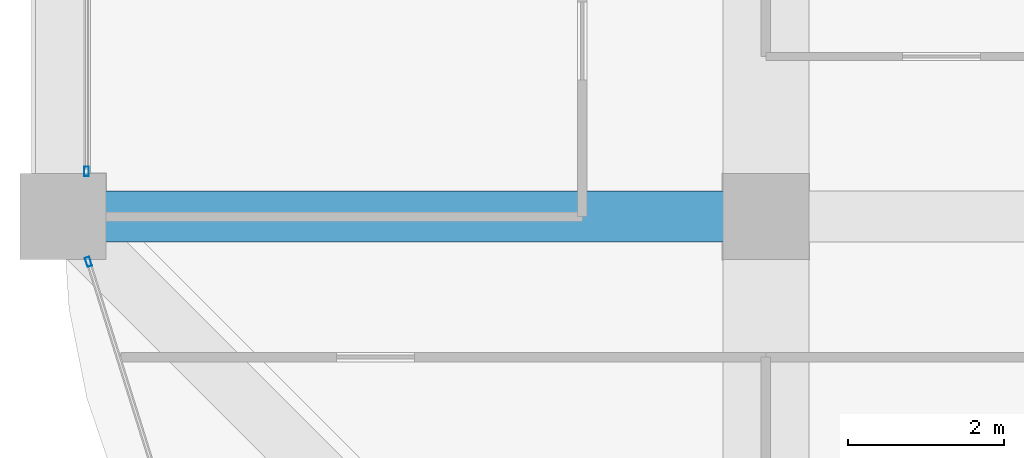
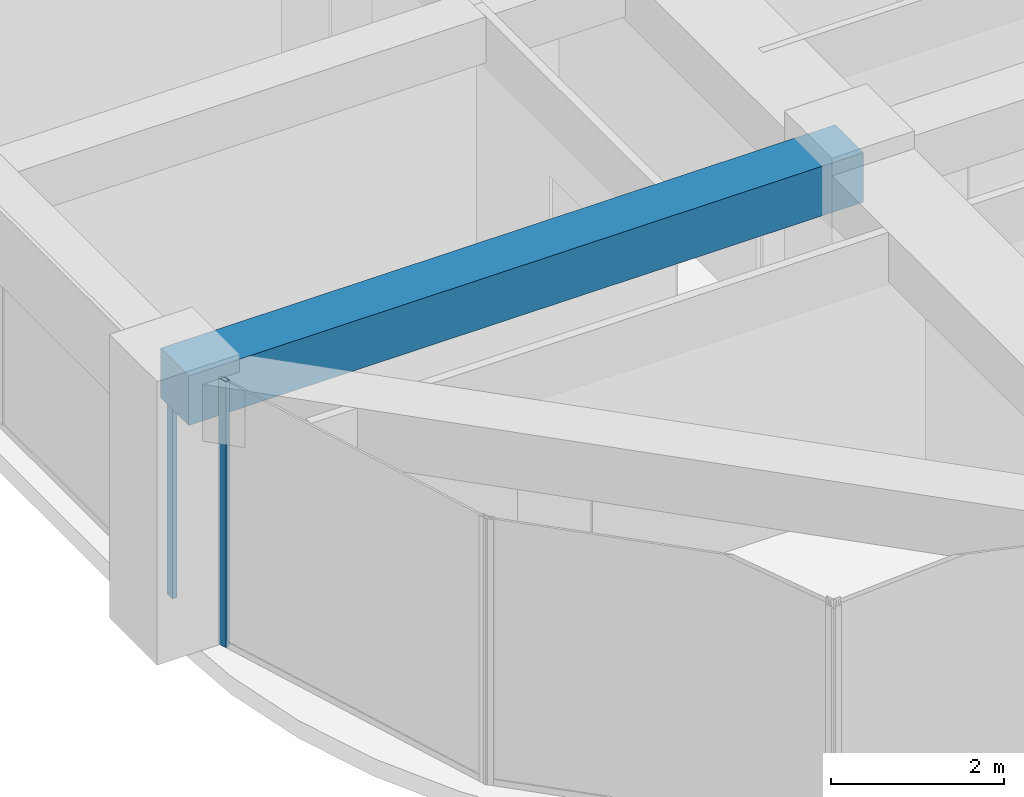
# One storey, part 6 of 44: 2 members, 1 beam, 2 elements without a shape of their own.
"""IFC4 building model written with IfcOpenShell, lengths in metres."""

from ifc_helpers import new_model, si_unit, direction, frame, origin, origin_2d, place, context, subcontext, project, spatial, rectangle, hollow_rectangle, extrude, material, material_profile, profile_set, type_object, element, aggregate, save


model = new_model("IFC4")

# Units and contexts
model_context = context("Model", 3, precision=1e-05, world=origin(), true_north=direction((0.0, 1.0)))
body_context = subcontext(model_context, "Body", "Model", "MODEL_VIEW")
ifc_project = project(units=[si_unit("LENGTHUNIT", "METRE"), si_unit("AREAUNIT", "SQUARE_METRE"), si_unit("VOLUMEUNIT", "CUBIC_METRE"), si_unit("PLANEANGLEUNIT", "RADIAN"), si_unit("MASSUNIT", "GRAM", prefix="KILO")], contexts=[model_context])

# Site, building, storey
site_placement = place(None, origin())
site = spatial("IfcSite", under=ifc_project, at=site_placement, CompositionType="ELEMENT")
building_placement = place(site_placement, origin())
building = spatial("IfcBuilding", under=site, at=building_placement, Name="Zorevar Civic Tower", CompositionType="ELEMENT")
storey_placement = place(building_placement, frame((0.0, 0.0, 287.39990234375)))
storey = spatial("IfcBuildingStorey", under=building, at=storey_placement, Name="L70", CompositionType="ELEMENT", Elevation=287.39990234375)

# Beam
ifc_material_1 = material(Name="Concrete C50/60", Category="concrete")
ifc_material_profile_1 = material_profile(ifc_material_1, rectangle(XDim=0.64990234375, YDim=0.699951171875, at=origin_2d()), Name="RC 650x700")
ifc_profile_set_1 = profile_set([ifc_material_profile_1], Name="Concrete C50/60")
beam_type = type_object("IfcBeamType", Name="Beam RC 650x700", PredefinedType="BEAM", material=ifc_profile_set_1)
beam_placement = place(storey_placement, frame((9.0, 9.0, 3.400146484375), z_axis=(1.0, 0.0, 0.0), x_axis=(0.0, 1.0, 0.0)))
element("IfcBeam", 1, at=beam_placement, inside=storey, type_object=beam_type, Name="Girder L71", PredefinedType="BEAM", context=body_context, shape_type="SweptSolid", body=[
    extrude(rectangle(XDim=0.64990234375, YDim=0.699951171875, at=origin_2d()), origin(), (0.0, 0.0, 1.0), 9.0),
])

# Curtain wall, member
ifc_material_2 = material(Name="Dark grey solar-control glass in black aluminium frame", Category="aluminium")
curtain_wall_type = type_object("IfcCurtainWallType", Name="Curtain wall CW5 top zone", PredefinedType="NOTDEFINED", material=ifc_material_2)
curtain_wall_1_placement = place(storey_placement, origin())
curtain_wall_1 = element("IfcCurtainWall", 2, at=curtain_wall_1_placement, inside=storey, type_object=curtain_wall_type, Name="CW5 L70", PredefinedType="NOTDEFINED")
ifc_material_3 = material(Name="Aluminium, black anodised", Category="aluminium")
ifc_material_profile_2 = material_profile(ifc_material_3, hollow_rectangle(XDim=0.06005859375, YDim=0.1201171875, WallThickness=0.0029296875, at=origin_2d()), Name="AL 120x60x3")
ifc_profile_set_2 = profile_set([ifc_material_profile_2], Name="Aluminium, black anodised")
member_type = type_object("IfcMemberType", Name="CW5 mullion AL 120x60x3", PredefinedType="MULLION", material=ifc_profile_set_2)
member_1_placement = place(storey_placement, frame((9.300048828125, 9.580078125, 0.0), z_axis=(0.0, 0.0, 1.0), x_axis=(-1.0, 0.0, 0.0)))
member_1 = element("IfcMember", 3, at=member_1_placement, type_object=member_type, Name="CW5 mullion 1", PredefinedType="MULLION", context=body_context, shape_type="SweptSolid", body=[
    extrude(hollow_rectangle(XDim=0.06005859375, YDim=0.1201171875, WallThickness=0.0029296875, at=origin_2d()), origin(), (0.0, 0.0, 1.0), 2.9501953125),
])
aggregate(curtain_wall_1, [member_1])

curtain_wall_2_placement = place(storey_placement, origin())
curtain_wall_2 = element("IfcCurtainWall", 4, at=curtain_wall_2_placement, inside=storey, type_object=curtain_wall_type, Name="CW5 L70", PredefinedType="NOTDEFINED")
member_2_placement = place(storey_placement, frame((9.326416015625, 8.42138671875, 0.0), z_axis=(0.0, 0.0, 1.0), x_axis=(0.954153437674, 0.299317920238, 0.0)))
member_2 = element("IfcMember", 5, at=member_2_placement, type_object=member_type, Name="CW5 mullion 1", PredefinedType="MULLION", context=body_context, shape_type="SweptSolid", body=[
    extrude(hollow_rectangle(XDim=0.06005859375, YDim=0.1201171875, WallThickness=0.0029296875, at=origin_2d()), origin(), (0.0, 0.0, 1.0), 3.75),
])
aggregate(curtain_wall_2, [member_2])

save(model, "model.ifc")
